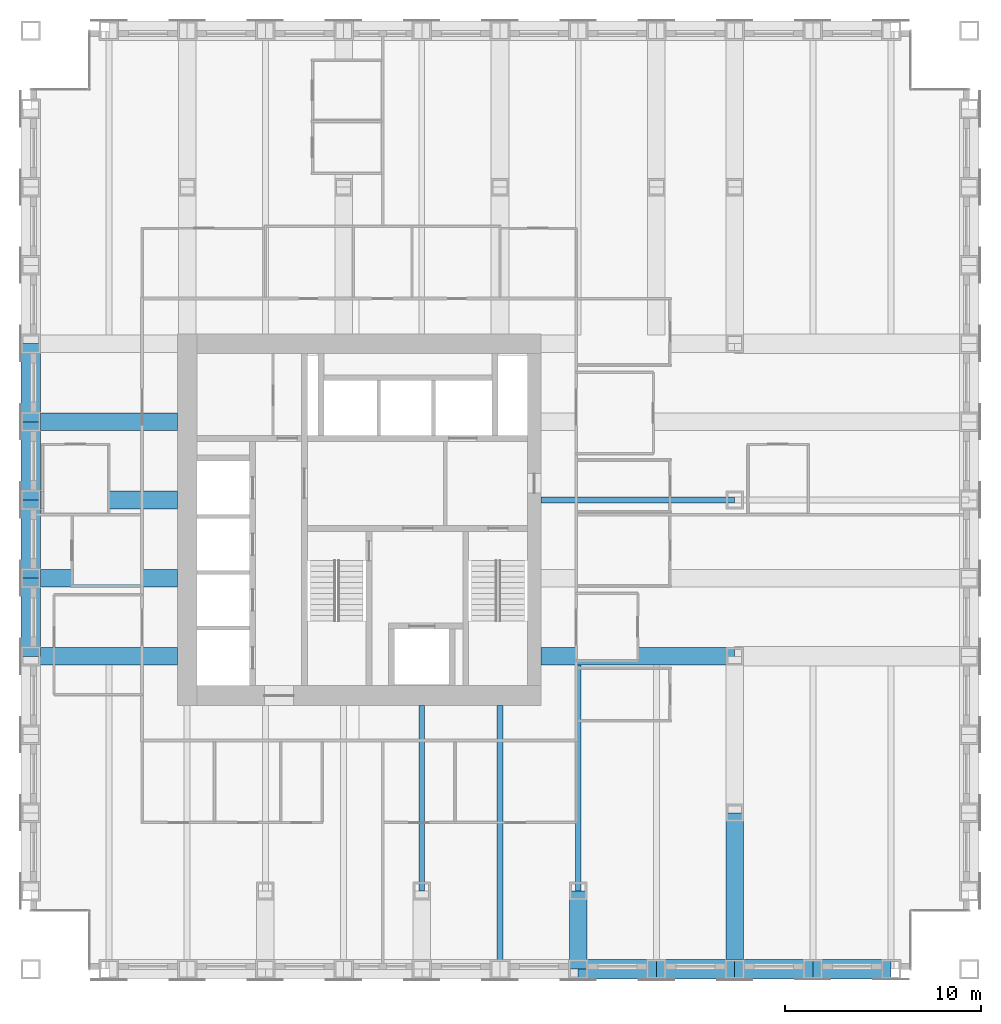
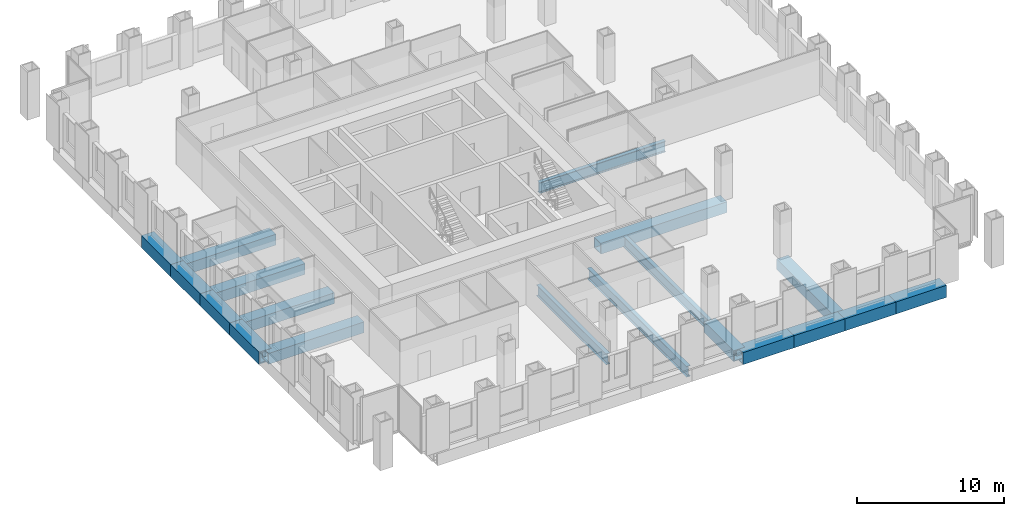
# One storey, part 3 of 16: 19 beams.
"""IFC4 building model written with IfcOpenShell, lengths in metres."""

from ifc_helpers import new_model, si_unit, direction, frame, origin, origin_2d, place, context, subcontext, project, spatial, hollow_rectangle, i_section, extrude, material, material_profile, profile_set, type_object, element, save


model = new_model("IFC4")

# Units and contexts
model_context = context("Model", 3, precision=1e-05, world=origin(), true_north=direction((0.0, 1.0)))
body_context = subcontext(model_context, "Body", "Model", "MODEL_VIEW")
ifc_project = project(units=[si_unit("LENGTHUNIT", "METRE"), si_unit("AREAUNIT", "SQUARE_METRE"), si_unit("VOLUMEUNIT", "CUBIC_METRE"), si_unit("PLANEANGLEUNIT", "RADIAN"), si_unit("MASSUNIT", "GRAM", prefix="KILO")], contexts=[model_context])

# Site, building, storey
site_placement = place(None, origin())
site = spatial("IfcSite", under=ifc_project, at=site_placement, CompositionType="ELEMENT")
building_placement = place(site_placement, origin())
building = spatial("IfcBuilding", under=site, at=building_placement, Name="Rimbunsela Tower", CompositionType="ELEMENT")
storey_placement = place(building_placement, frame((0.0, 0.0, 121.39990234375)))
storey = spatial("IfcBuildingStorey", under=building, at=storey_placement, Name="L29", CompositionType="ELEMENT", Elevation=121.39990234375)

# Beams
ifc_material_1 = material(Name="Steel BJ 55 (fy 410 MPa)", Category="steel")
ifc_material_profile_1 = material_profile(ifc_material_1, hollow_rectangle(XDim=1.0, YDim=1.0, WallThickness=0.10009765625, at=origin_2d()), Name="BOX 1000x1000x100")
ifc_profile_set_1 = profile_set([ifc_material_profile_1], Name="Steel BJ 55 (fy 410 MPa)")
beam_type_1 = type_object("IfcBeamType", Name="Beam BOX 1000x1000x100", PredefinedType="BEAM", material=ifc_profile_set_1)
for number, where, z_axis, x_axis, name in (
    (1, (10.0, 20.0, -0.64990234375), (0.0, 1.0, 0.0), (-1.0, 0.0, 0.0), "Beam B3 L29"),
    (2, (10.0, 24.0, -0.64990234375), (0.0, 1.0, 0.0), (-1.0, 0.0, 0.0), "Beam B3 L29"),
    (3, (10.0, 28.0, -0.64990234375), (0.0, 1.0, 0.0), (-1.0, 0.0, 0.0), "Beam B3 L29"),
    (4, (10.0, 32.0, -0.64990234375), (0.0, 1.0, 0.0), (-1.0, 0.0, 0.0), "Beam B3 L29"),
    (5, (38.0, 4.0, -0.64990234375), (1.0, 0.0, 0.0), (0.0, 1.0, 0.0), "Beam B3 L29"),
    (6, (42.0, 4.0, -0.64990234375), (1.0, 0.0, 0.0), (0.0, 1.0, 0.0), "Beam B3 L29"),
    (7, (46.0, 4.0, -0.64990234375), (1.0, 0.0, 0.0), (0.0, 1.0, 0.0), "Beam B3 L29"),
    (8, (50.0, 4.0, -0.64990234375), (1.0, 0.0, 0.0), (0.0, 1.0, 0.0), "Beam B3 L29"),
):
    element("IfcBeam", number, at=place(storey_placement, frame(where, z_axis=z_axis, x_axis=x_axis)), inside=storey, type_object=beam_type_1, Name=name, PredefinedType="BEAM", context=body_context, shape_type="SweptSolid", body=[
        extrude(hollow_rectangle(XDim=1.0, YDim=1.0, WallThickness=0.10009765625, at=origin_2d()), origin(), (0.0, 0.0, 1.0), 4.0),
    ])
ifc_material_2 = material(Name="Steel BJ 55 (fy 410 MPa)", Category="steel")
ifc_material_profile_2 = material_profile(ifc_material_2, hollow_rectangle(XDim=0.89990234375, YDim=0.89990234375, WallThickness=0.06005859375, at=origin_2d()), Name="BOX 900x900x60")
ifc_profile_set_2 = profile_set([ifc_material_profile_2], Name="Steel BJ 55 (fy 410 MPa)")
beam_type_2 = type_object("IfcBeamType", Name="Beam BOX 900x900x60", PredefinedType="BEAM", material=ifc_profile_set_2)
for number, where, z_axis, x_axis, name in (
    (9, (10.0, 20.0, -0.599853515625), (1.0, 0.0, 0.0), (0.0, 1.0, 0.0), "Beam B1 L29"),
    (10, (10.0, 24.0, -0.599853515625), (1.0, 0.0, 0.0), (0.0, 1.0, 0.0), "Beam B1 L29"),
    (11, (10.0, 28.0, -0.599853515625), (1.0, 0.0, 0.0), (0.0, 1.0, 0.0), "Beam B1 L29"),
    (12, (10.0, 32.0, -0.599853515625), (1.0, 0.0, 0.0), (0.0, 1.0, 0.0), "Beam B1 L29"),
):
    element("IfcBeam", number, at=place(storey_placement, frame(where, z_axis=z_axis, x_axis=x_axis)), inside=storey, type_object=beam_type_2, Name=name, PredefinedType="BEAM", context=body_context, shape_type="SweptSolid", body=[
        extrude(hollow_rectangle(XDim=0.89990234375, YDim=0.89990234375, WallThickness=0.06005859375, at=origin_2d()), origin(), (0.0, 0.0, 1.0), 7.5),
    ])
beam_1_placement = place(storey_placement, frame((36.10009765625, 20.0, -0.599853515625), z_axis=(1.0, 0.0, 0.0), x_axis=(0.0, 1.0, 0.0)))
element("IfcBeam", 13, at=beam_1_placement, inside=storey, type_object=beam_type_2, Name="Beam B1 L29", PredefinedType="BEAM", context=body_context, shape_type="SweptSolid", body=[
    extrude(hollow_rectangle(XDim=0.89990234375, YDim=0.89990234375, WallThickness=0.06005859375, at=origin_2d()), origin(), (0.0, 0.0, 1.0), 9.89990234375),
])
beam_2_placement = place(storey_placement, frame((38.0, 4.0, -0.599853515625), z_axis=(0.0, 1.0, 0.0), x_axis=(-1.0, 0.0, 0.0)))
element("IfcBeam", 14, at=beam_2_placement, inside=storey, type_object=beam_type_2, Name="Beam B1 L29", PredefinedType="BEAM", context=body_context, shape_type="SweptSolid", body=[
    extrude(hollow_rectangle(XDim=0.89990234375, YDim=0.89990234375, WallThickness=0.06005859375, at=origin_2d()), origin(), (0.0, 0.0, 1.0), 4.0),
])
beam_3_placement = place(storey_placement, frame((46.0, 4.0, -0.599853515625), z_axis=(0.0, 1.0, 0.0), x_axis=(-1.0, 0.0, 0.0)))
element("IfcBeam", 15, at=beam_3_placement, inside=storey, type_object=beam_type_2, Name="Beam B1 L29", PredefinedType="BEAM", context=body_context, shape_type="SweptSolid", body=[
    extrude(hollow_rectangle(XDim=0.89990234375, YDim=0.89990234375, WallThickness=0.06005859375, at=origin_2d()), origin(), (0.0, 0.0, 1.0), 8.0),
])
ifc_material_3 = material(Name="Steel BJ 55 (fy 410 MPa)", Category="steel")
ifc_material_profile_3 = material_profile(ifc_material_3, i_section(OverallWidth=0.300048828125, OverallDepth=0.89990234375, WebThickness=0.01611328125, FlangeThickness=0.028076171875, FilletRadius=0.028076171875, at=origin_2d()), Name="H 900x300x16x28")
ifc_profile_set_3 = profile_set([ifc_material_profile_3], Name="Steel BJ 55 (fy 410 MPa)")
beam_type_3 = type_object("IfcBeamType", Name="Beam H 900x300x16x28", PredefinedType="BEAM", material=ifc_profile_set_3)
beam_4_placement = place(storey_placement, frame((30.0, 8.0, -0.599853515625), z_axis=(0.0, 1.0, 0.0), x_axis=(-1.0, 0.0, 0.0)))
element("IfcBeam", 16, at=beam_4_placement, inside=storey, type_object=beam_type_3, Name="Beam B2 L29", PredefinedType="BEAM", context=body_context, shape_type="SweptSolid", body=[
    extrude(i_section(OverallWidth=0.300048828125, OverallDepth=0.89990234375, WebThickness=0.01611328125, FlangeThickness=0.028076171875, FilletRadius=0.028076171875, at=origin_2d()), origin(), (0.0, 0.0, 1.0), 9.5),
])
beam_5_placement = place(storey_placement, frame((34.0, 4.0, -0.599853515625), z_axis=(0.0, 1.0, 0.0), x_axis=(-1.0, 0.0, 0.0)))
element("IfcBeam", 17, at=beam_5_placement, inside=storey, type_object=beam_type_3, Name="Beam B2 L29", PredefinedType="BEAM", context=body_context, shape_type="SweptSolid", body=[
    extrude(i_section(OverallWidth=0.300048828125, OverallDepth=0.89990234375, WebThickness=0.01611328125, FlangeThickness=0.028076171875, FilletRadius=0.028076171875, at=origin_2d()), origin(), (0.0, 0.0, 1.0), 13.5),
])
beam_6_placement = place(storey_placement, frame((36.10009765625, 28.0, -0.599853515625), z_axis=(1.0, 0.0, 0.0), x_axis=(0.0, 1.0, 0.0)))
element("IfcBeam", 18, at=beam_6_placement, inside=storey, type_object=beam_type_3, Name="Beam B2 L29", PredefinedType="BEAM", context=body_context, shape_type="SweptSolid", body=[
    extrude(i_section(OverallWidth=0.300048828125, OverallDepth=0.89990234375, WebThickness=0.01611328125, FlangeThickness=0.028076171875, FilletRadius=0.028076171875, at=origin_2d()), origin(), (0.0, 0.0, 1.0), 9.89990234375),
])
beam_7_placement = place(storey_placement, frame((38.0, 8.0, -0.599853515625), z_axis=(0.0, 1.0, 0.0), x_axis=(-1.0, 0.0, 0.0)))
element("IfcBeam", 19, at=beam_7_placement, inside=storey, type_object=beam_type_3, Name="Beam B2 L29", PredefinedType="BEAM", context=body_context, shape_type="SweptSolid", body=[
    extrude(i_section(OverallWidth=0.300048828125, OverallDepth=0.89990234375, WebThickness=0.01611328125, FlangeThickness=0.028076171875, FilletRadius=0.028076171875, at=origin_2d()), origin(), (0.0, 0.0, 1.0), 11.550048828125),
])

save(model, "model.ifc")
